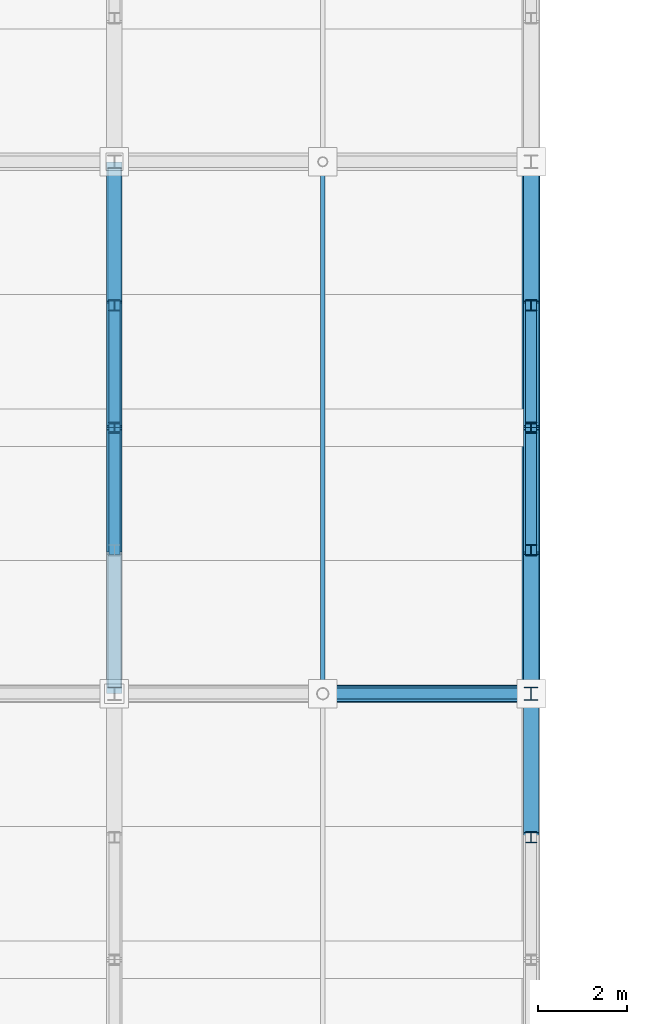
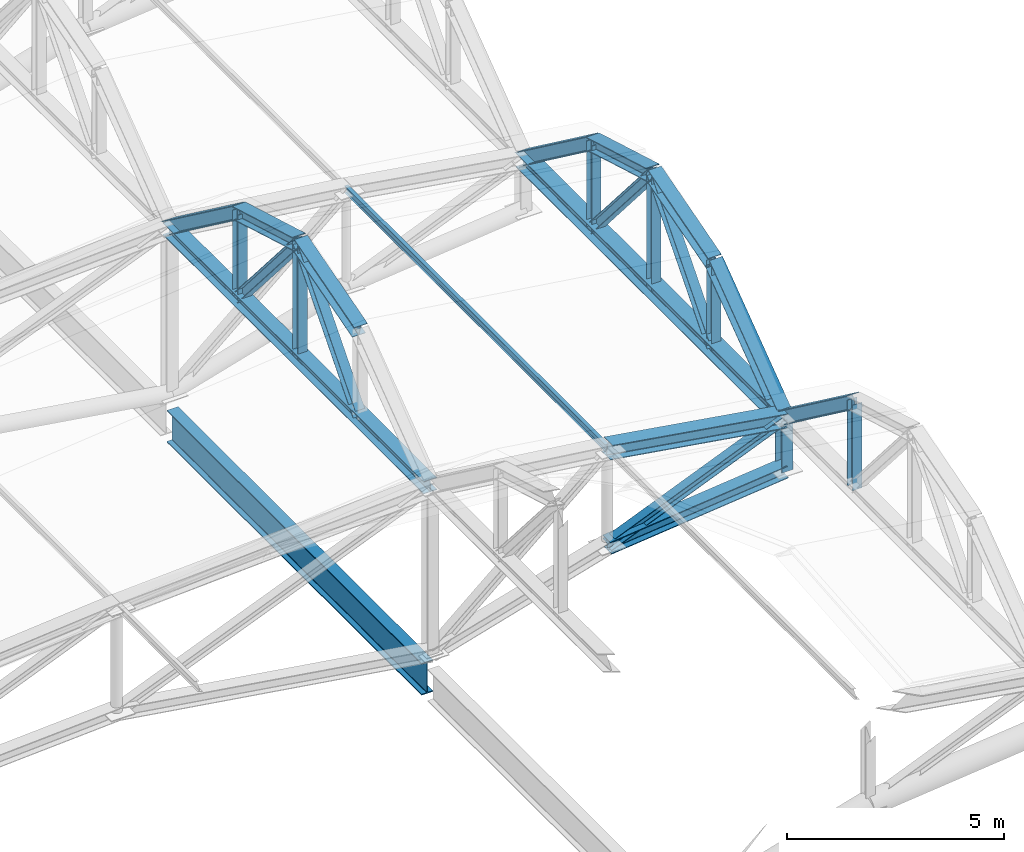
# One storey, part 35 of 117: 25 members, 1 beam.
"""IFC4 building model written with IfcOpenShell, lengths in metres."""

from ifc_helpers import new_model, si_unit, direction, frame, origin, origin_2d, place, context, subcontext, project, spatial, i_section, extrude, material, material_profile, profile_set, type_object, element, save


model = new_model("IFC4")

# Units and contexts
model_context = context("Model", 3, precision=1e-05, world=origin(), true_north=direction((0.0, 1.0)))
body_context = subcontext(model_context, "Body", "Model", "MODEL_VIEW")
ifc_project = project(units=[si_unit("LENGTHUNIT", "METRE"), si_unit("AREAUNIT", "SQUARE_METRE"), si_unit("VOLUMEUNIT", "CUBIC_METRE"), si_unit("PLANEANGLEUNIT", "RADIAN"), si_unit("MASSUNIT", "GRAM", prefix="KILO")], contexts=[model_context])

# Site, building, storey
site_placement = place(None, origin())
site = spatial("IfcSite", under=ifc_project, at=site_placement, CompositionType="ELEMENT")
building_placement = place(site_placement, origin())
building = spatial("IfcBuilding", under=site, at=building_placement, Name="Kazenohara Klinker Stadium", CompositionType="ELEMENT")
storey_placement = place(building_placement, frame((0.0, 0.0, 31.199951171875)))
storey = spatial("IfcBuildingStorey", under=building, at=storey_placement, Name="RF", CompositionType="ELEMENT", Elevation=31.199951171875)

# Members
ifc_material = material(Name="Steel S355", Category="steel")
ifc_material_profile_1 = material_profile(ifc_material, i_section(OverallWidth=0.25, OverallDepth=0.25, WebThickness=0.009033203125, FlangeThickness=0.013916015625, FilletRadius=0.012939453125, at=origin_2d()), Name="H-250x250x9x14")
ifc_profile_set_1 = profile_set([ifc_material_profile_1], Name="Steel S355")
member_type_1 = type_object("IfcMemberType", Name="MEM-BRC02", PredefinedType="BRACE", material=ifc_profile_set_1)
member_1_placement = place(storey_placement, frame((53.699951171875, 96.0, 1.35009765625), z_axis=(0.923659284192, 0.0, 0.383214726655), x_axis=(0.0, 1.0, 0.0)))
element("IfcMember", 1, at=member_1_placement, inside=storey, type_object=member_type_1, Name="ROOF TRUSS RT-W05 web diagonal 5", PredefinedType="BRACE", context=body_context, shape_type="SweptSolid", body=[
    extrude(i_section(OverallWidth=0.25, OverallDepth=0.25, WebThickness=0.009033203125, FlangeThickness=0.013916015625, FilletRadius=0.012939453125, at=origin_2d()), origin(), (0.0, 0.0, 1.0), 5.08837890625),
])
ifc_material_profile_2 = material_profile(ifc_material, i_section(OverallWidth=0.39990234375, OverallDepth=0.39990234375, WebThickness=0.012939453125, FlangeThickness=0.02099609375, FilletRadius=0.02197265625, at=origin_2d()), Name="H-400x400x13x21")
ifc_profile_set_2 = profile_set([ifc_material_profile_2], Name="Steel S355")
member_type_2 = type_object("IfcMemberType", Name="MEM-CHD01", PredefinedType="CHORD", material=ifc_profile_set_2)
member_2_placement = place(storey_placement, frame((53.699951171875, 96.0, 4.050048828125), z_axis=(0.987505848374, 0.0, -0.157582357602), x_axis=(0.0, 1.0, 0.0)))
element("IfcMember", 2, at=member_2_placement, inside=storey, type_object=member_type_2, Name="ROOF TRUSS RT-W05 top arched chord 5", PredefinedType="CHORD", context=body_context, shape_type="SweptSolid", body=[
    extrude(i_section(OverallWidth=0.39990234375, OverallDepth=0.39990234375, WebThickness=0.012939453125, FlangeThickness=0.02099609375, FilletRadius=0.02197265625, at=origin_2d()), origin(), (0.0, 0.0, 1.0), 4.759521484375),
])
member_3_placement = place(storey_placement, frame((58.39990234375, 96.0, 3.300048828125), z_axis=(0.0, 1.0, 0.0), x_axis=(-1.0, 0.0, 0.0)))
element("IfcMember", 3, at=member_3_placement, inside=storey, type_object=member_type_2, Name="Inner tension ring chord TC01 segment 05", PredefinedType="CHORD", context=body_context, shape_type="SweptSolid", body=[
    extrude(i_section(OverallWidth=0.39990234375, OverallDepth=0.39990234375, WebThickness=0.012939453125, FlangeThickness=0.02099609375, FilletRadius=0.02197265625, at=origin_2d()), origin(), (0.0, 0.0, 1.0), 12.0),
])
ifc_material_profile_3 = material_profile(ifc_material, i_section(OverallWidth=0.35009765625, OverallDepth=0.35009765625, WebThickness=0.011962890625, FlangeThickness=0.01904296875, FilletRadius=0.012939453125, at=origin_2d()), Name="H-350x350x12x19")
ifc_profile_set_3 = profile_set([ifc_material_profile_3], Name="Steel S355")
member_type_3 = type_object("IfcMemberType", Name="MEM-CHD02", PredefinedType="CHORD", material=ifc_profile_set_3)
member_4_placement = place(storey_placement, frame((53.699951171875, 96.0, 1.35009765625), z_axis=(0.99438879757, 0.0, 0.105787141313), x_axis=(0.0, 1.0, 0.0)))
element("IfcMember", 4, at=member_4_placement, inside=storey, type_object=member_type_3, Name="ROOF TRUSS RT-W05 bottom arched chord 5", PredefinedType="CHORD", context=body_context, shape_type="SweptSolid", body=[
    extrude(i_section(OverallWidth=0.35009765625, OverallDepth=0.35009765625, WebThickness=0.011962890625, FlangeThickness=0.01904296875, FilletRadius=0.012939453125, at=origin_2d()), origin(), (0.0, 0.0, 1.0), 4.7265625),
])
member_5_placement = place(storey_placement, frame((58.39990234375, 92.760009765625, 5.699951171875), z_axis=(0.0, 0.803567919639, -0.595213069856), x_axis=(-1.0, 0.0, 0.0)))
element("IfcMember", 5, at=member_5_placement, inside=storey, type_object=member_type_3, Name="Barrel arch top rib TC02 W-04-N5-S4", PredefinedType="CHORD", context=body_context, shape_type="SweptSolid", body=[
    extrude(i_section(OverallWidth=0.35009765625, OverallDepth=0.35009765625, WebThickness=0.011962890625, FlangeThickness=0.01904296875, FilletRadius=0.012939453125, at=origin_2d()), origin(), (0.0, 0.0, 1.0), 4.031982421875),
])
member_6_placement = place(storey_placement, frame((49.0, 96.0, 4.650146484375), z_axis=(0.0, 1.0, 0.0), x_axis=(-1.0, 0.0, 0.0)))
element("IfcMember", 6, at=member_6_placement, inside=storey, type_object=member_type_3, Name="Barrel arch tie chord TC02 W-05-N3", PredefinedType="CHORD", context=body_context, shape_type="SweptSolid", body=[
    extrude(i_section(OverallWidth=0.35009765625, OverallDepth=0.35009765625, WebThickness=0.011962890625, FlangeThickness=0.01904296875, FilletRadius=0.012939453125, at=origin_2d()), origin(), (0.0, 0.0, 1.0), 12.0),
])
for number, where, z_axis, x_axis, name in (
    (7, (49.0, 99.239990234375, 7.050048828125), (0.0, 0.960462085918, 0.27841081429), (-1.0, 0.0, 0.0), "Barrel arch top rib TC02 W-05-N3-S2"),
    (8, (49.0, 102.0, 7.85009765625), (0.0, 0.960462085918, -0.27841081429), (-1.0, 0.0, 0.0), "Barrel arch top rib TC02 W-05-N3-S3"),
):
    element("IfcMember", number, at=place(storey_placement, frame(where, z_axis=z_axis, x_axis=x_axis)), inside=storey, type_object=member_type_3, Name=name, PredefinedType="CHORD", context=body_context, shape_type="SweptSolid", body=[
        extrude(i_section(OverallWidth=0.35009765625, OverallDepth=0.35009765625, WebThickness=0.011962890625, FlangeThickness=0.01904296875, FilletRadius=0.012939453125, at=origin_2d()), origin(), (0.0, 0.0, 1.0), 2.87353515625),
    ])
for number, where, z_axis, x_axis, name in (
    (9, (49.0, 104.760009765625, 7.050048828125), (0.0, 0.803567919639, -0.595213069856), (-1.0, 0.0, 0.0), "Barrel arch top rib TC02 W-05-N3-S4"),
    (10, (58.39990234375, 96.0, 3.300048828125), (0.0, 0.803567919639, 0.595213069856), (-1.0, 0.0, 0.0), "Barrel arch top rib TC02 W-05-N5-S1"),
):
    element("IfcMember", number, at=place(storey_placement, frame(where, z_axis=z_axis, x_axis=x_axis)), inside=storey, type_object=member_type_3, Name=name, PredefinedType="CHORD", context=body_context, shape_type="SweptSolid", body=[
        extrude(i_section(OverallWidth=0.35009765625, OverallDepth=0.35009765625, WebThickness=0.011962890625, FlangeThickness=0.01904296875, FilletRadius=0.012939453125, at=origin_2d()), origin(), (0.0, 0.0, 1.0), 4.031982421875),
    ])
for number, where, z_axis, x_axis, name in (
    (11, (58.39990234375, 99.239990234375, 5.699951171875), (0.0, 0.960462085918, 0.27841081429), (-1.0, 0.0, 0.0), "Barrel arch top rib TC02 W-05-N5-S2"),
    (12, (58.39990234375, 102.0, 6.5), (0.0, 0.960462085918, -0.27841081429), (-1.0, 0.0, 0.0), "Barrel arch top rib TC02 W-05-N5-S3"),
):
    element("IfcMember", number, at=place(storey_placement, frame(where, z_axis=z_axis, x_axis=x_axis)), inside=storey, type_object=member_type_3, Name=name, PredefinedType="CHORD", context=body_context, shape_type="SweptSolid", body=[
        extrude(i_section(OverallWidth=0.35009765625, OverallDepth=0.35009765625, WebThickness=0.011962890625, FlangeThickness=0.01904296875, FilletRadius=0.012939453125, at=origin_2d()), origin(), (0.0, 0.0, 1.0), 2.87353515625),
    ])
member_7_placement = place(storey_placement, frame((58.39990234375, 104.760009765625, 5.699951171875), z_axis=(0.0, 0.803567919639, -0.595213069856), x_axis=(-1.0, 0.0, 0.0)))
element("IfcMember", 13, at=member_7_placement, inside=storey, type_object=member_type_3, Name="Barrel arch top rib TC02 W-05-N5-S4", PredefinedType="CHORD", context=body_context, shape_type="SweptSolid", body=[
    extrude(i_section(OverallWidth=0.35009765625, OverallDepth=0.35009765625, WebThickness=0.011962890625, FlangeThickness=0.01904296875, FilletRadius=0.012939453125, at=origin_2d()), origin(), (0.0, 0.0, 1.0), 4.031982421875),
])
ifc_material_profile_4 = material_profile(ifc_material, i_section(OverallWidth=0.10009765625, OverallDepth=0.199951171875, WebThickness=0.005615234375, FlangeThickness=0.008056640625, FilletRadius=0.008056640625, at=origin_2d()), Name="H-200x100x5.5x8")
ifc_profile_set_4 = profile_set([ifc_material_profile_4], Name="Steel S355")
member_type_4 = type_object("IfcMemberType", Name="MEM-PUR02", PredefinedType="PURLIN", material=ifc_profile_set_4)
member_8_placement = place(storey_placement, frame((53.699951171875, 96.0, 4.070068359375), z_axis=(0.0, 1.0, 0.0), x_axis=(-1.0, 0.0, 0.0)))
element("IfcMember", 14, at=member_8_placement, inside=storey, type_object=member_type_4, Name="Canopy valley tie purlin PR02 W-05-N4", PredefinedType="PURLIN", context=body_context, shape_type="SweptSolid", body=[
    extrude(i_section(OverallWidth=0.10009765625, OverallDepth=0.199951171875, WebThickness=0.005615234375, FlangeThickness=0.008056640625, FilletRadius=0.008056640625, at=origin_2d()), origin(), (0.0, 0.0, 1.0), 12.0),
])
ifc_material_profile_5 = material_profile(ifc_material, i_section(OverallWidth=0.300048828125, OverallDepth=0.300048828125, WebThickness=0.010009765625, FlangeThickness=0.014892578125, FilletRadius=0.012939453125, at=origin_2d()), Name="H-300x300x10x15")
ifc_profile_set_5 = profile_set([ifc_material_profile_5], Name="Steel S355")
member_type_5 = type_object("IfcMemberType", Name="MEM-STR01", PredefinedType="STRUT", material=ifc_profile_set_5)
member_9_placement = place(storey_placement, frame((58.39990234375, 96.0, 1.85009765625), z_axis=(0.0, 0.0, 1.0), x_axis=(1.0, 0.0, 0.0)))
element("IfcMember", 15, at=member_9_placement, inside=storey, type_object=member_type_5, Name="ROOF TRUSS RT-W05 web post 6", PredefinedType="STRUT", context=body_context, shape_type="SweptSolid", body=[
    extrude(i_section(OverallWidth=0.300048828125, OverallDepth=0.300048828125, WebThickness=0.010009765625, FlangeThickness=0.014892578125, FilletRadius=0.012939453125, at=origin_2d()), origin(), (0.0, 0.0, 1.0), 1.449951171875),
])
ifc_material_profile_6 = material_profile(ifc_material, i_section(OverallWidth=0.25, OverallDepth=0.25, WebThickness=0.009033203125, FlangeThickness=0.013916015625, FilletRadius=0.012939453125, at=origin_2d()), Name="H-250x250x9x14")
ifc_profile_set_6 = profile_set([ifc_material_profile_6], Name="Steel S355")
member_type_6 = type_object("IfcMemberType", Name="MEM-STR02", PredefinedType="STRUT", material=ifc_profile_set_6)
member_10_placement = place(storey_placement, frame((58.39990234375, 92.760009765625, 3.300048828125), z_axis=(0.0, 0.0, 1.0), x_axis=(1.0, 0.0, 0.0)))
element("IfcMember", 16, at=member_10_placement, inside=storey, type_object=member_type_6, Name="Barrel arch web post TS02 W-04-N5-P3", PredefinedType="STRUT", context=body_context, shape_type="SweptSolid", body=[
    extrude(i_section(OverallWidth=0.25, OverallDepth=0.25, WebThickness=0.009033203125, FlangeThickness=0.013916015625, FilletRadius=0.012939453125, at=origin_2d()), origin(), (0.0, 0.0, 1.0), 2.39990234375),
])
member_11_placement = place(storey_placement, frame((49.0, 102.0, 4.650146484375), z_axis=(0.0, 0.0, 1.0), x_axis=(1.0, 0.0, 0.0)))
element("IfcMember", 17, at=member_11_placement, inside=storey, type_object=member_type_6, Name="Barrel arch web post TS02 W-05-N3-P2", PredefinedType="STRUT", context=body_context, shape_type="SweptSolid", body=[
    extrude(i_section(OverallWidth=0.25, OverallDepth=0.25, WebThickness=0.009033203125, FlangeThickness=0.013916015625, FilletRadius=0.012939453125, at=origin_2d()), origin(), (0.0, 0.0, 1.0), 3.199951171875),
])
member_12_placement = place(storey_placement, frame((49.0, 104.760009765625, 4.650146484375), z_axis=(0.0, 0.0, 1.0), x_axis=(1.0, 0.0, 0.0)))
element("IfcMember", 18, at=member_12_placement, inside=storey, type_object=member_type_6, Name="Barrel arch web post TS02 W-05-N3-P3", PredefinedType="STRUT", context=body_context, shape_type="SweptSolid", body=[
    extrude(i_section(OverallWidth=0.25, OverallDepth=0.25, WebThickness=0.009033203125, FlangeThickness=0.013916015625, FilletRadius=0.012939453125, at=origin_2d()), origin(), (0.0, 0.0, 1.0), 2.39990234375),
])
for number, where, z_axis, x_axis, name in (
    (19, (49.0, 99.239990234375, 4.650146484375), (0.0, 0.653133887971, 0.757242447558), (-1.0, 0.0, 0.0), "Barrel arch web diagonal TS02 W-05-N3-D1"),
    (20, (49.0, 104.760009765625, 4.650146484375), (0.0, -0.653133887971, 0.757242447558), (1.0, 0.0, 0.0), "Barrel arch web diagonal TS02 W-05-N3-D2"),
):
    element("IfcMember", number, at=place(storey_placement, frame(where, z_axis=z_axis, x_axis=x_axis)), inside=storey, type_object=member_type_6, Name=name, PredefinedType="STRUT", context=body_context, shape_type="SweptSolid", body=[
        extrude(i_section(OverallWidth=0.25, OverallDepth=0.25, WebThickness=0.009033203125, FlangeThickness=0.013916015625, FilletRadius=0.012939453125, at=origin_2d()), origin(), (0.0, 0.0, 1.0), 4.225830078125),
    ])
member_13_placement = place(storey_placement, frame((58.39990234375, 99.239990234375, 3.300048828125), z_axis=(0.0, 0.0, 1.0), x_axis=(1.0, 0.0, 0.0)))
element("IfcMember", 21, at=member_13_placement, inside=storey, type_object=member_type_6, Name="Barrel arch web post TS02 W-05-N5-P1", PredefinedType="STRUT", context=body_context, shape_type="SweptSolid", body=[
    extrude(i_section(OverallWidth=0.25, OverallDepth=0.25, WebThickness=0.009033203125, FlangeThickness=0.013916015625, FilletRadius=0.012939453125, at=origin_2d()), origin(), (0.0, 0.0, 1.0), 2.39990234375),
])
member_14_placement = place(storey_placement, frame((58.39990234375, 102.0, 3.300048828125), z_axis=(0.0, 0.0, 1.0), x_axis=(1.0, 0.0, 0.0)))
element("IfcMember", 22, at=member_14_placement, inside=storey, type_object=member_type_6, Name="Barrel arch web post TS02 W-05-N5-P2", PredefinedType="STRUT", context=body_context, shape_type="SweptSolid", body=[
    extrude(i_section(OverallWidth=0.25, OverallDepth=0.25, WebThickness=0.009033203125, FlangeThickness=0.013916015625, FilletRadius=0.012939453125, at=origin_2d()), origin(), (0.0, 0.0, 1.0), 3.199951171875),
])
member_15_placement = place(storey_placement, frame((58.39990234375, 104.760009765625, 3.300048828125), z_axis=(0.0, 0.0, 1.0), x_axis=(1.0, 0.0, 0.0)))
element("IfcMember", 23, at=member_15_placement, inside=storey, type_object=member_type_6, Name="Barrel arch web post TS02 W-05-N5-P3", PredefinedType="STRUT", context=body_context, shape_type="SweptSolid", body=[
    extrude(i_section(OverallWidth=0.25, OverallDepth=0.25, WebThickness=0.009033203125, FlangeThickness=0.013916015625, FilletRadius=0.012939453125, at=origin_2d()), origin(), (0.0, 0.0, 1.0), 2.39990234375),
])
for number, where, z_axis, x_axis, name in (
    (24, (58.39990234375, 99.239990234375, 3.300048828125), (0.0, 0.653133887971, 0.757242447558), (-1.0, 0.0, 0.0), "Barrel arch web diagonal TS02 W-05-N5-D1"),
    (25, (58.39990234375, 104.760009765625, 3.300048828125), (0.0, -0.653133887971, 0.757242447558), (1.0, 0.0, 0.0), "Barrel arch web diagonal TS02 W-05-N5-D2"),
):
    element("IfcMember", number, at=place(storey_placement, frame(where, z_axis=z_axis, x_axis=x_axis)), inside=storey, type_object=member_type_6, Name=name, PredefinedType="STRUT", context=body_context, shape_type="SweptSolid", body=[
        extrude(i_section(OverallWidth=0.25, OverallDepth=0.25, WebThickness=0.009033203125, FlangeThickness=0.013916015625, FilletRadius=0.012939453125, at=origin_2d()), origin(), (0.0, 0.0, 1.0), 4.225830078125),
    ])

# Beam
ifc_material_profile_7 = material_profile(ifc_material, i_section(OverallWidth=0.300048828125, OverallDepth=0.89990234375, WebThickness=0.01611328125, FlangeThickness=0.028076171875, FilletRadius=0.02197265625, at=origin_2d()), Name="H-900x300x16x28")
ifc_profile_set_7 = profile_set([ifc_material_profile_7], Name="Steel S355")
beam_type = type_object("IfcBeamType", Name="RING-RB01", PredefinedType="USERDEFINED", material=ifc_profile_set_7)
beam_placement = place(storey_placement, frame((49.0, 96.139892578125, -0.820068359375), z_axis=(0.0, 1.0, 0.0), x_axis=(-1.0, 0.0, 0.0)))
element("IfcBeam", 26, at=beam_placement, inside=storey, type_object=beam_type, Name="Roof ring beam RB01 W-IN J-K", ObjectType="RING BEAM", PredefinedType="USERDEFINED", context=body_context, shape_type="SweptSolid", body=[
    extrude(i_section(OverallWidth=0.300048828125, OverallDepth=0.89990234375, WebThickness=0.01611328125, FlangeThickness=0.028076171875, FilletRadius=0.02197265625, at=origin_2d()), origin(), (0.0, 0.0, 1.0), 11.72021484375),
])

save(model, "model.ifc")
